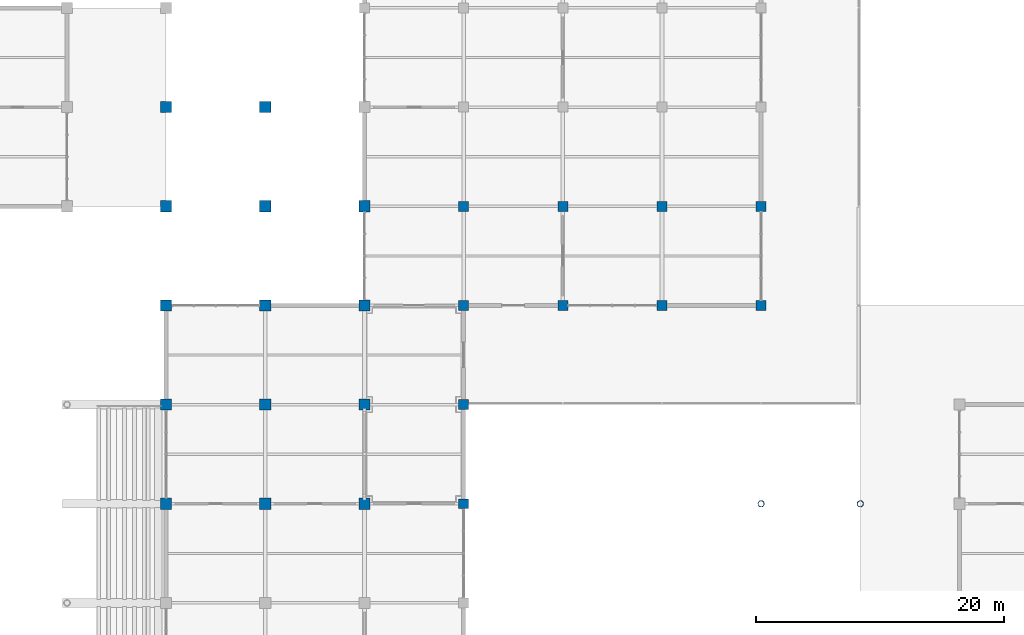
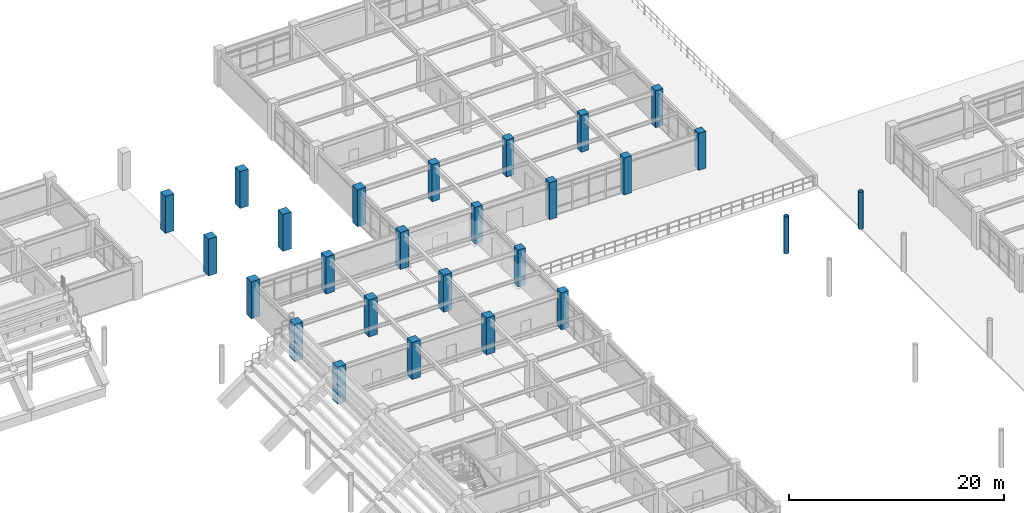
# One storey, part 14 of 118: 26 columns.
"""IFC4 building model written with IfcOpenShell, lengths in metres."""

from ifc_helpers import new_model, si_unit, direction, frame, origin, origin_2d, place, context, subcontext, project, spatial, rectangle, hollow_circle, extrude, material, material_profile, profile_set, type_object, element, save


model = new_model("IFC4")

# Units and contexts
model_context = context("Model", 3, precision=1e-05, world=origin(), true_north=direction((0.0, 1.0)))
body_context = subcontext(model_context, "Body", "Model", "MODEL_VIEW")
ifc_project = project(units=[si_unit("LENGTHUNIT", "METRE"), si_unit("AREAUNIT", "SQUARE_METRE"), si_unit("VOLUMEUNIT", "CUBIC_METRE"), si_unit("PLANEANGLEUNIT", "RADIAN"), si_unit("MASSUNIT", "GRAM", prefix="KILO")], contexts=[model_context])

# Site, building, storey
site_placement = place(None, origin())
site = spatial("IfcSite", under=ifc_project, at=site_placement, CompositionType="ELEMENT")
building_placement = place(site_placement, origin())
building = spatial("IfcBuilding", under=site, at=building_placement, Name="Haebicheon Civic Stadium", CompositionType="ELEMENT")
storey_placement = place(building_placement, frame((0.0, 0.0, 14.39990234375)))
storey = spatial("IfcBuildingStorey", under=building, at=storey_placement, Name="L04", CompositionType="ELEMENT", Elevation=14.39990234375)

# Columns
ifc_material_1 = material(Name="Concrete C40/50", Category="concrete")
ifc_material_profile_1 = material_profile(ifc_material_1, rectangle(XDim=0.800048828125, YDim=0.800048828125, at=origin_2d()), Name="RC-COL-800x800")
ifc_profile_set_1 = profile_set([ifc_material_profile_1], Name="Concrete C40/50")
column_type_1 = type_object("IfcColumnType", Name="COL-RC-800", PredefinedType="COLUMN", material=ifc_profile_set_1)
for number, where, z_axis, x_axis, name in (
    (1, (168.0, 128.0, 0.0), (0.0, 0.0, 1.0), (1.0, 0.0, 0.0), "L04 column 22/S"),
    (2, (168.0, 136.0, 0.0), (0.0, 0.0, 1.0), (1.0, 0.0, 0.0), "L04 column 22/T"),
    (3, (168.0, 144.0, 0.0), (0.0, 0.0, 1.0), (1.0, 0.0, 0.0), "L04 column 22/U"),
    (4, (168.0, 152.0, 0.0), (0.0, 0.0, 1.0), (1.0, 0.0, 0.0), "L04 column 22/V"),
    (5, (176.0, 144.0, 0.0), (0.0, 0.0, 1.0), (1.0, 0.0, 0.0), "L04 column 23/U"),
    (6, (176.0, 152.0, 0.0), (0.0, 0.0, 1.0), (1.0, 0.0, 0.0), "L04 column 23/V"),
    (7, (184.0, 144.0, 0.0), (0.0, 0.0, 1.0), (1.0, 0.0, 0.0), "L04 column 24/U"),
    (8, (184.0, 152.0, 0.0), (0.0, 0.0, 1.0), (1.0, 0.0, 0.0), "L04 column 24/V"),
    (9, (192.0, 144.0, 0.0), (0.0, 0.0, 1.0), (1.0, 0.0, 0.0), "L04 column 25/U"),
    (10, (192.0, 152.0, 0.0), (0.0, 0.0, 1.0), (1.0, 0.0, 0.0), "L04 column 25/V"),
):
    element("IfcColumn", number, at=place(storey_placement, frame(where, z_axis=z_axis, x_axis=x_axis)), inside=storey, type_object=column_type_1, material=ifc_profile_set_1, Name=name, PredefinedType="COLUMN", context=body_context, shape_type="SweptSolid", body=[
        extrude(rectangle(XDim=0.800048828125, YDim=0.800048828125, at=origin_2d()), origin(), (0.0, 0.0, 1.0), 4.2001953125),
    ])
ifc_material_2 = material(Name="Concrete C40/50", Category="concrete")
ifc_material_profile_2 = material_profile(ifc_material_2, rectangle(XDim=0.89990234375, YDim=0.89990234375, at=origin_2d()), Name="RC-COL-900x900")
ifc_profile_set_2 = profile_set([ifc_material_profile_2], Name="Concrete C40/50")
column_type_2 = type_object("IfcColumnType", Name="COL-RC-900", PredefinedType="COLUMN", material=ifc_profile_set_2)
for number, where, z_axis, x_axis, name in (
    (11, (144.0, 128.0, 0.0), (0.0, 0.0, 1.0), (1.0, 0.0, 0.0), "L04 column 19/S"),
    (12, (144.0, 136.0, 0.0), (0.0, 0.0, 1.0), (1.0, 0.0, 0.0), "L04 column 19/T"),
    (13, (144.0, 144.0, 0.0), (0.0, 0.0, 1.0), (1.0, 0.0, 0.0), "L04 column 19/U"),
    (14, (144.0, 152.0, 0.0), (0.0, 0.0, 1.0), (1.0, 0.0, 0.0), "L04 column 19/V"),
    (15, (144.0, 160.0, 0.0), (0.0, 0.0, 1.0), (1.0, 0.0, 0.0), "L04 column 19/W"),
    (16, (152.0, 128.0, 0.0), (0.0, 0.0, 1.0), (1.0, 0.0, 0.0), "L04 column 20/S"),
    (17, (152.0, 136.0, 0.0), (0.0, 0.0, 1.0), (1.0, 0.0, 0.0), "L04 column 20/T"),
    (18, (152.0, 144.0, 0.0), (0.0, 0.0, 1.0), (1.0, 0.0, 0.0), "L04 column 20/U"),
    (19, (152.0, 152.0, 0.0), (0.0, 0.0, 1.0), (1.0, 0.0, 0.0), "L04 column 20/V"),
    (20, (152.0, 160.0, 0.0), (0.0, 0.0, 1.0), (1.0, 0.0, 0.0), "L04 column 20/W"),
    (21, (160.0, 128.0, 0.0), (0.0, 0.0, 1.0), (1.0, 0.0, 0.0), "L04 column 21/S"),
    (22, (160.0, 136.0, 0.0), (0.0, 0.0, 1.0), (1.0, 0.0, 0.0), "L04 column 21/T"),
    (23, (160.0, 144.0, 0.0), (0.0, 0.0, 1.0), (1.0, 0.0, 0.0), "L04 column 21/U"),
    (24, (160.0, 152.0, 0.0), (0.0, 0.0, 1.0), (1.0, 0.0, 0.0), "L04 column 21/V"),
):
    element("IfcColumn", number, at=place(storey_placement, frame(where, z_axis=z_axis, x_axis=x_axis)), inside=storey, type_object=column_type_2, material=ifc_profile_set_2, Name=name, PredefinedType="COLUMN", context=body_context, shape_type="SweptSolid", body=[
        extrude(rectangle(XDim=0.89990234375, YDim=0.89990234375, at=origin_2d()), origin(), (0.0, 0.0, 1.0), 4.2001953125),
    ])
ifc_material_3 = material(Name="White painted steel SM490", Category="steel")
ifc_material_profile_3 = material_profile(ifc_material_3, hollow_circle(Radius=0.25390625, WallThickness=0.02490234375, at=origin_2d()), Name="CHS-508.0x25.0")
ifc_profile_set_3 = profile_set([ifc_material_profile_3], Name="White painted steel SM490")
column_type_3 = type_object("IfcColumnType", Name="COL-ST-CHS508", PredefinedType="COLUMN", material=ifc_profile_set_3)
for number, where, z_axis, x_axis, name in (
    (25, (200.0, 128.0, 0.0), (0.0, 0.0, 1.0), (1.0, 0.0, 0.0), "Bowl/canopy support column 200/128 (L04)"),
    (26, (192.0, 128.0, 0.0), (0.0, 0.0, 1.0), (1.0, 0.0, 0.0), "Bowl/canopy support column 192/128 (L04)"),
):
    element("IfcColumn", number, at=place(storey_placement, frame(where, z_axis=z_axis, x_axis=x_axis)), inside=storey, type_object=column_type_3, material=ifc_profile_set_3, Name=name, PredefinedType="COLUMN", context=body_context, shape_type="SweptSolid", body=[
        extrude(hollow_circle(Radius=0.25390625, WallThickness=0.02490234375, at=origin_2d()), origin(), (0.0, 0.0, 1.0), 4.2001953125),
    ])

save(model, "model.ifc")
